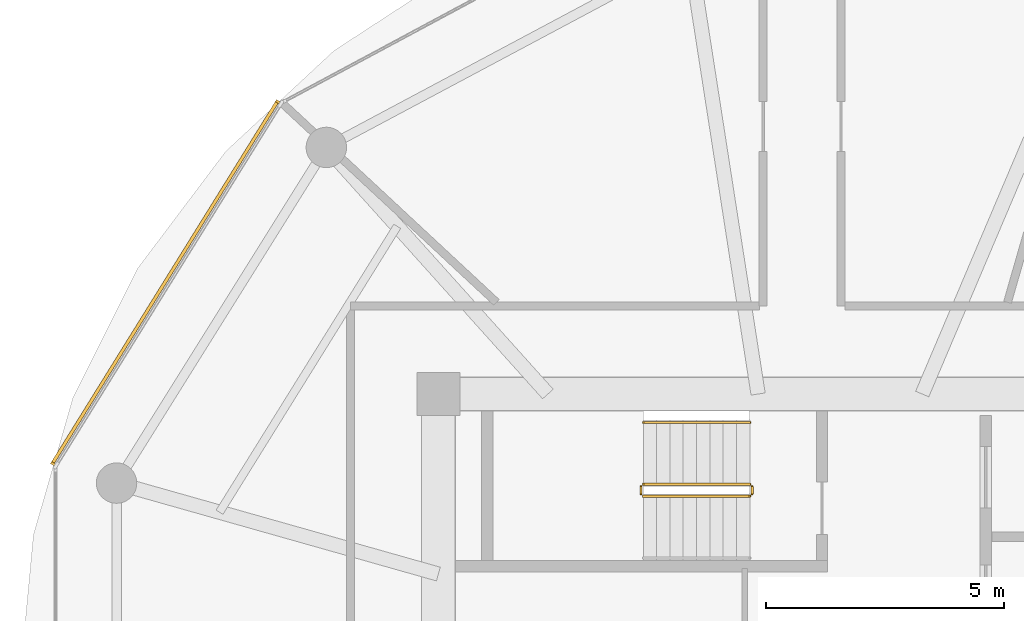
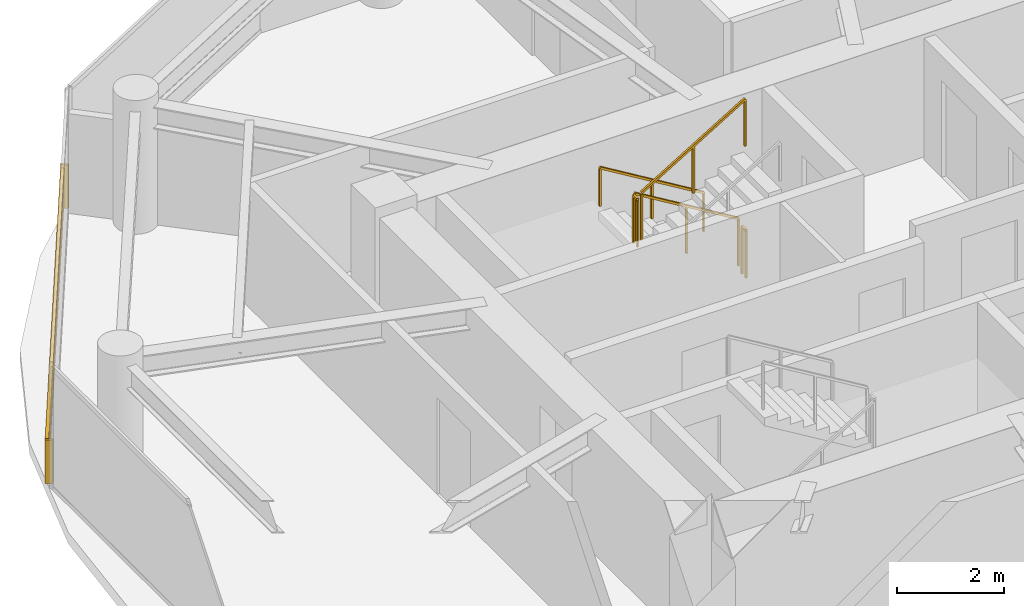
# One storey, part 21 of 24: 5 railings, 1 shading device.
"""IFC4 building model written with IfcOpenShell, lengths in metres."""

from ifc_helpers import new_model, si_unit, direction, frame, origin, origin_2d, place, context, subcontext, project, spatial, rectangle, extrude, source, transform, mapped, material, type_object, type_shapes, element, save


model = new_model("IFC4")

# Units and contexts
model_context = context("Model", 3, precision=1e-05, world=origin(), true_north=direction((0.0, 1.0)))
body_context = subcontext(model_context, "Body", "Model", "MODEL_VIEW")
ifc_project = project(units=[si_unit("LENGTHUNIT", "METRE"), si_unit("AREAUNIT", "SQUARE_METRE"), si_unit("VOLUMEUNIT", "CUBIC_METRE"), si_unit("PLANEANGLEUNIT", "RADIAN"), si_unit("MASSUNIT", "GRAM", prefix="KILO")], contexts=[model_context])

# Site, building, storey
site_placement = place(None, origin())
site = spatial("IfcSite", under=ifc_project, at=site_placement, CompositionType="ELEMENT")
building_placement = place(site_placement, origin())
building = spatial("IfcBuilding", under=site, at=building_placement, Name="Norrkilde Senior Care Towers", CompositionType="ELEMENT")
storey_placement = place(building_placement, frame((0.0, 0.0, 111.5)))
storey = spatial("IfcBuildingStorey", under=building, at=storey_placement, Name="L34", CompositionType="ELEMENT", Elevation=111.5)

# Railings
ifc_material_1 = material(Name="Stainless Steel", Category="steel")
railing_type_1 = type_object("IfcRailingType", Name="Stair and Terrace Guardrail 1100", PredefinedType="GUARDRAIL", material=ifc_material_1)
railing_1_placement = place(storey_placement, frame((-29.10009765625, 4.050048828125, 0.16943359375)))
element("IfcRailing", 1, at=railing_1_placement, inside=storey, type_object=railing_type_1, Name="L34 ST-W1 stair guard 1", PredefinedType="GUARDRAIL", context=body_context, shape_type="SweptSolid", body=[
    extrude(rectangle(XDim=0.048095703125, YDim=0.048095703125, at=origin_2d()), frame((0.0, 0.0, 1.076171875), z_axis=(-0.855553338991, 0.0, 0.51771467445), x_axis=(0.0, -1.0, 0.0)), (0.0, 0.0, 1.0), 2.6181640625),
    extrude(rectangle(XDim=0.0419921875, YDim=0.0419921875, at=origin_2d()), origin(), (0.0, 0.0, 1.0), 1.050048828125),
    extrude(rectangle(XDim=0.0419921875, YDim=0.0419921875, at=origin_2d()), frame((-1.1201171875, 0.0, 0.677734375)), (0.0, 0.0, 1.0), 1.050048828125),
    extrude(rectangle(XDim=0.0419921875, YDim=0.0419921875, at=origin_2d()), frame((-2.239990234375, 0.0, 1.35546875)), (0.0, 0.0, 1.0), 1.050048828125),
])
railing_2_placement = place(storey_placement, frame((-31.389892578125, 4.0, 1.52490234375)))
element("IfcRailing", 2, at=railing_2_placement, inside=storey, type_object=railing_type_1, Name="L34 ST-W1 stair guard 2", PredefinedType="GUARDRAIL", context=body_context, shape_type="SweptSolid", body=[
    extrude(rectangle(XDim=0.048095703125, YDim=0.048095703125, at=origin_2d()), frame((0.0, 0.0, 1.076171875), z_axis=(0.0, -1.0, 0.0), x_axis=(1.0, 0.0, 0.0)), (0.0, 0.0, 1.0), 0.14990234375),
    extrude(rectangle(XDim=0.0419921875, YDim=0.0419921875, at=origin_2d()), origin(), (0.0, 0.0, 1.0), 1.050048828125),
    extrude(rectangle(XDim=0.0419921875, YDim=0.0419921875, at=origin_2d()), frame((0.0, -0.14990234375, 0.0)), (0.0, 0.0, 1.0), 1.050048828125),
])
railing_3_placement = place(storey_placement, frame((-31.340087890625, 3.800048828125, 1.6943359375)))
element("IfcRailing", 3, at=railing_3_placement, inside=storey, type_object=railing_type_1, Name="L34 ST-W1 stair guard 3", PredefinedType="GUARDRAIL", context=body_context, shape_type="SweptSolid", body=[
    extrude(rectangle(XDim=0.048095703125, YDim=0.048095703125, at=origin_2d()), frame((0.0, 0.0, 1.076171875), z_axis=(0.855512035549, 0.0, 0.517782924622), x_axis=(0.0, 1.0, 0.0)), (0.0, 0.0, 1.0), 2.618408203125),
    extrude(rectangle(XDim=0.0419921875, YDim=0.0419921875, at=origin_2d()), origin(), (0.0, 0.0, 1.0), 1.050048828125),
    extrude(rectangle(XDim=0.0419921875, YDim=0.0419921875, at=origin_2d()), frame((1.1201171875, 0.0, 0.677734375)), (0.0, 0.0, 1.0), 1.050048828125),
    extrude(rectangle(XDim=0.0419921875, YDim=0.0419921875, at=origin_2d()), frame((2.239990234375, 0.0, 1.355712890625)), (0.0, 0.0, 1.0), 1.050048828125),
])
railing_4_placement = place(storey_placement, frame((-29.050048828125, 4.0, 0.0)))
element("IfcRailing", 4, at=railing_4_placement, inside=storey, type_object=railing_type_1, Name="L34 ST-W1 stair guard 4", PredefinedType="GUARDRAIL", context=body_context, shape_type="SweptSolid", body=[
    extrude(rectangle(XDim=0.048095703125, YDim=0.048095703125, at=origin_2d()), frame((0.0, 0.0, 1.076171875), z_axis=(0.0, -1.0, 0.0), x_axis=(1.0, 0.0, 0.0)), (0.0, 0.0, 1.0), 0.14990234375),
    extrude(rectangle(XDim=0.0419921875, YDim=0.0419921875, at=origin_2d()), origin(), (0.0, 0.0, 1.0), 1.050048828125),
    extrude(rectangle(XDim=0.0419921875, YDim=0.0419921875, at=origin_2d()), frame((0.0, -0.14990234375, 0.0)), (0.0, 0.0, 1.0), 1.050048828125),
])
ifc_material_2 = material(Name="Nordic Ash Timber", Category="wood")
railing_type_2 = type_object("IfcRailingType", Name="Wall and Stair Handrail 900", PredefinedType="HANDRAIL", material=ifc_material_2)
railing_5_placement = place(storey_placement, frame((-29.10009765625, 5.35009765625, 0.16943359375)))
element("IfcRailing", 5, at=railing_5_placement, inside=storey, type_object=railing_type_2, Name="L34 ST-W1 stair handrail 1", PredefinedType="HANDRAIL", context=body_context, shape_type="SweptSolid", body=[
    extrude(rectangle(XDim=0.048095703125, YDim=0.048095703125, at=origin_2d()), frame((0.0, 0.0, 0.8759765625), z_axis=(-0.855553338991, 0.0, 0.51771467445), x_axis=(0.0, -1.0, 0.0)), (0.0, 0.0, 1.0), 2.6181640625),
    extrude(rectangle(XDim=0.0419921875, YDim=0.0419921875, at=origin_2d()), origin(), (0.0, 0.0, 1.0), 0.849853515625),
    extrude(rectangle(XDim=0.0419921875, YDim=0.0419921875, at=origin_2d()), frame((-1.1201171875, 0.0, 0.677734375)), (0.0, 0.0, 1.0), 0.849853515625),
    extrude(rectangle(XDim=0.0419921875, YDim=0.0419921875, at=origin_2d()), frame((-2.239990234375, 0.0, 1.35546875)), (0.0, 0.0, 1.0), 0.849853515625),
])

# Shading device
ifc_material_3 = material(Name="Architectural Terracotta", Category="masonry")
shading_device_type = type_object("IfcShadingDeviceType", Name="Horizontal Terracotta Baguette Rack", PredefinedType="USERDEFINED", material=ifc_material_3)
shared_shape = source(origin(), body_context, "Body", "SweptSolid", [
    extrude(rectangle(XDim=0.070068359375, YDim=0.110107421875, at=origin_2d()), frame((0.0, 0.090087890625, 0.125), z_axis=(1.0, 0.0, 0.0), x_axis=(0.0, 1.0, 0.0)), (0.0, 0.0, 1.0), 9.01416015625),
    extrude(rectangle(XDim=0.070068359375, YDim=0.110107421875, at=origin_2d()), frame((0.0, 0.090087890625, 0.375), z_axis=(1.0, 0.0, 0.0), x_axis=(0.0, 1.0, 0.0)), (0.0, 0.0, 1.0), 9.01416015625),
    extrude(rectangle(XDim=0.070068359375, YDim=0.110107421875, at=origin_2d()), frame((0.0, 0.090087890625, 0.625), z_axis=(1.0, 0.0, 0.0), x_axis=(0.0, 1.0, 0.0)), (0.0, 0.0, 1.0), 9.01416015625),
    extrude(rectangle(XDim=0.070068359375, YDim=0.110107421875, at=origin_2d()), frame((0.0, 0.090087890625, 0.875), z_axis=(1.0, 0.0, 0.0), x_axis=(0.0, 1.0, 0.0)), (0.0, 0.0, 1.0), 9.01416015625),
    extrude(rectangle(XDim=0.050048828125, YDim=0.1552734375, at=origin_2d()), frame((0.02490234375, 0.047607421875, 0.0)), (0.0, 0.0, 1.0), 1.0),
    extrude(rectangle(XDim=0.050048828125, YDim=0.1552734375, at=origin_2d()), frame((8.9892578125, 0.047607421875, 0.0)), (0.0, 0.0, 1.0), 1.0),
])
type_shapes(shading_device_type, [shared_shape])
shading_device_placement = place(storey_placement, frame((-43.70361328125, 4.420654296875, 0.080078125), z_axis=(0.0, 0.0, 1.0), x_axis=(0.527734142246, 0.849412274525, 0.0)))
element("IfcShadingDevice", 6, at=shading_device_placement, inside=storey, type_object=shading_device_type, Name="L34 Drum W Terracotta Baguette Screen 04", ObjectType="BAGUETTE", PredefinedType="USERDEFINED", context=body_context, shape_type="MappedRepresentation", body=[
    mapped(shared_shape, transform((0.0, 0.0, 0.0), x_axis=(1.0, 0.0, 0.0), y_axis=(0.0, 1.0, 0.0), z_axis=(0.0, 0.0, 1.0), scale=1.0)),
])

save(model, "model.ifc")
